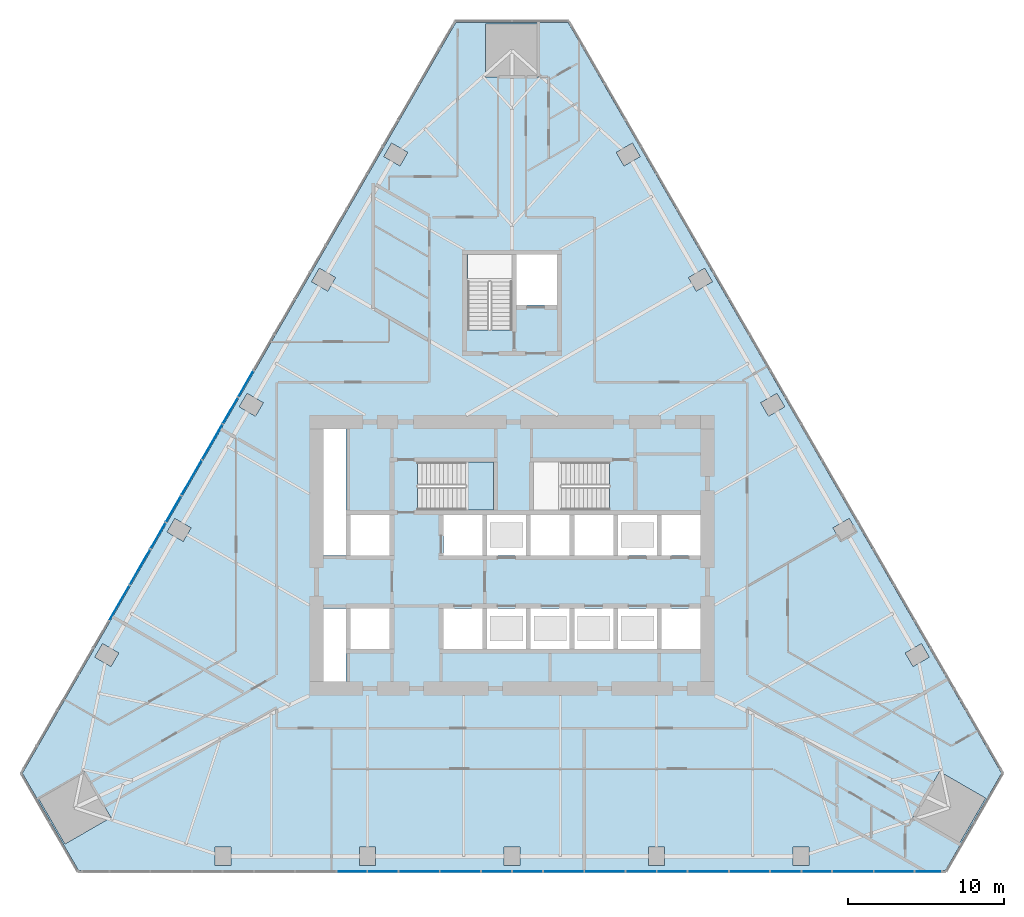
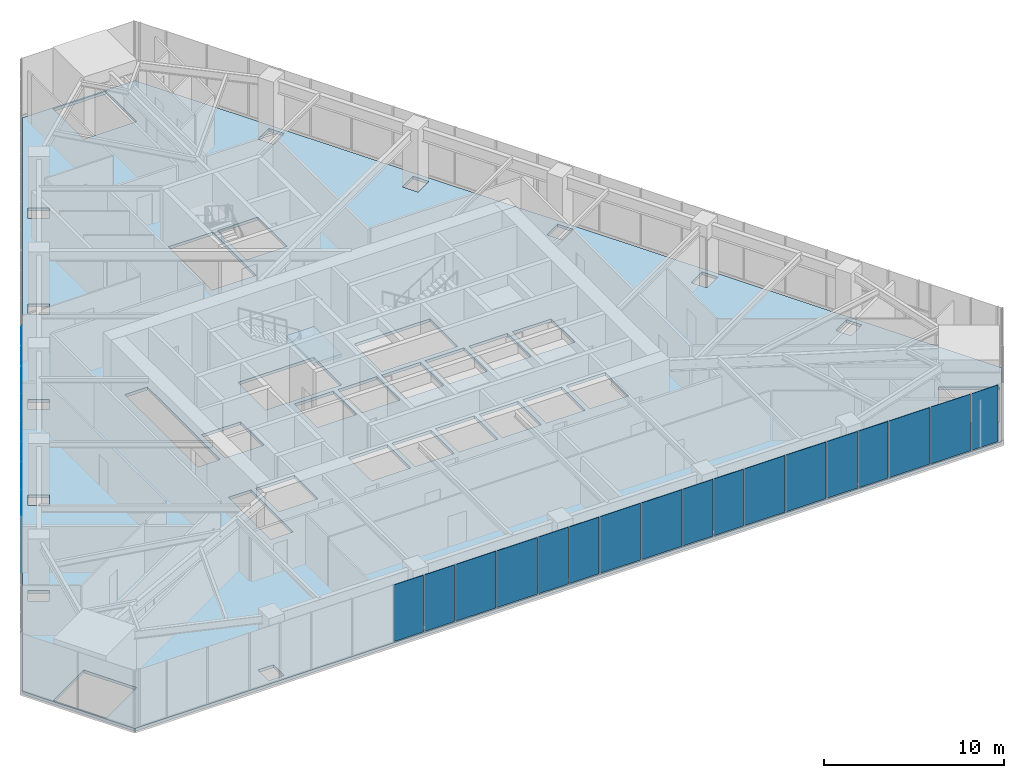
# One storey, part 12 of 22: 25 plates, 2 slabs, 3 elements without a shape of their own.
"""IFC4 building model written with IfcOpenShell, lengths in metres."""

from ifc_helpers import new_model, si_unit, direction, frame, origin, place, context, subcontext, project, spatial, polyline, outline, extrude, material, layer, layer_set, type_object, element, aggregate, save


model = new_model("IFC4")

# Units and contexts
model_context = context("Model", 3, precision=1e-05, world=origin(), true_north=direction((0.0, 1.0)))
body_context = subcontext(model_context, "Body", "Model", "MODEL_VIEW")
ifc_project = project(units=[si_unit("LENGTHUNIT", "METRE"), si_unit("AREAUNIT", "SQUARE_METRE"), si_unit("VOLUMEUNIT", "CUBIC_METRE"), si_unit("PLANEANGLEUNIT", "RADIAN"), si_unit("MASSUNIT", "GRAM", prefix="KILO")], contexts=[model_context])

# Site, building, storey
site_placement = place(None, origin())
site = spatial("IfcSite", under=ifc_project, at=site_placement, CompositionType="ELEMENT")
building_placement = place(site_placement, origin())
building = spatial("IfcBuilding", under=site, at=building_placement, Name="Firuza Gate Tower and Library", CompositionType="ELEMENT")
storey_placement = place(building_placement, frame((0.0, 0.0, 132.39990234375)))
storey = spatial("IfcBuildingStorey", under=building, at=storey_placement, Name="L30", CompositionType="ELEMENT", Elevation=132.39990234375)

# Slab
ifc_material_1 = material(Name="Concrete C40/50", Category="concrete")
ifc_layer_1 = layer(ifc_material_1, 0.199951171875)
ifc_layer_set_1 = layer_set([ifc_layer_1], Name="Composite floor slab 200 C40/50")
slab_type_1 = type_object("IfcSlabType", Name="Composite floor slab 200 C40/50", PredefinedType="FLOOR", material=ifc_layer_set_1)
slab_1_placement = place(storey_placement, frame((0.0, 0.0, -0.199951171875)))
element("IfcSlab", 1, at=slab_1_placement, inside=storey, type_object=slab_type_1, Name="Floor slab L30", PredefinedType="FLOOR", context=body_context, shape_type="SweptSolid", body=[
    extrude(outline(polyline([(43.583251953125, 61.018310546875), (47.18310546875, 54.782958984375), (102.81689453125, 54.782958984375), (106.416748046875, 61.018310546875), (78.60009765625, 109.198486328125), (71.39990234375, 109.198486328125), (43.583251953125, 61.018310546875)]), holes=[polyline([(55.955322265625, 55.0830078125), (55.955322265625, 56.282958984375), (56.955322265625, 56.282958984375), (56.955322265625, 55.0830078125), (55.955322265625, 55.0830078125)]), polyline([(65.227783203125, 55.0830078125), (65.227783203125, 56.282958984375), (66.227783203125, 56.282958984375), (66.227783203125, 55.0830078125), (65.227783203125, 55.0830078125)]), polyline([(44.61962890625, 59.4228515625), (47.564208984375, 61.123046875), (49.26416015625, 58.178466796875), (46.31982421875, 56.478515625), (44.61962890625, 59.4228515625)]), polyline([(48.72900390625, 69.33154296875), (49.768310546875, 68.7314453125), (49.268310546875, 67.865478515625), (48.22900390625, 68.46533203125), (48.72900390625, 69.33154296875)]), polyline([(64.35009765625, 66.89990234375), (62.89990234375, 66.89990234375), (62.89990234375, 71.60009765625), (64.35009765625, 71.60009765625), (64.35009765625, 66.89990234375)]), polyline([(75.89990234375, 69.0), (73.39990234375, 69.0), (73.39990234375, 71.60009765625), (75.89990234375, 71.60009765625), (75.89990234375, 69.0)]), polyline([(73.10009765625, 69.0), (70.60009765625, 69.0), (70.60009765625, 71.60009765625), (73.10009765625, 71.60009765625), (73.10009765625, 69.0)]), polyline([(64.64990234375, 69.0), (64.64990234375, 71.60009765625), (67.14990234375, 71.60009765625), (67.14990234375, 69.0), (64.64990234375, 69.0)]), polyline([(64.64990234375, 75.0), (64.64990234375, 77.60009765625), (67.14990234375, 77.60009765625), (67.14990234375, 75.0), (64.64990234375, 75.0)]), polyline([(75.89990234375, 75.0), (73.39990234375, 75.0), (73.39990234375, 77.60009765625), (75.89990234375, 77.60009765625), (75.89990234375, 75.0)]), polyline([(73.10009765625, 75.0), (70.60009765625, 75.0), (70.60009765625, 77.60009765625), (73.10009765625, 77.60009765625), (73.10009765625, 75.0)]), polyline([(53.365234375, 77.361572265625), (54.404541015625, 76.761474609375), (53.904541015625, 75.8955078125), (52.865234375, 76.495361328125), (53.365234375, 77.361572265625)]), polyline([(62.89990234375, 75.0), (62.89990234375, 83.10009765625), (64.35009765625, 83.10009765625), (64.35009765625, 75.0), (62.89990234375, 75.0)]), polyline([(68.9404296875, 77.89990234375), (68.9404296875, 80.97998046875), (73.81005859375, 80.97998046875), (73.81005859375, 77.89990234375), (68.9404296875, 77.89990234375)]), polyline([(58.00146484375, 85.3916015625), (59.04052734375, 84.79150390625), (58.54052734375, 83.925537109375), (57.50146484375, 84.525390625), (58.00146484375, 85.3916015625)]), polyline([(72.159912109375, 89.470458984375), (72.159912109375, 94.300048828125), (75.0, 94.300048828125), (75.0, 89.470458984375), (72.159912109375, 89.470458984375)]), polyline([(62.637451171875, 93.421630859375), (63.6767578125, 92.821533203125), (63.1767578125, 91.95556640625), (62.137451171875, 92.555419921875), (62.637451171875, 93.421630859375)]), polyline([(68.31298828125, 100.8515625), (67.81298828125, 99.985595703125), (66.773681640625, 100.58544921875), (67.273681640625, 101.45166015625), (68.31298828125, 100.8515625)]), polyline([(76.699951171875, 105.698486328125), (73.300048828125, 105.698486328125), (73.300048828125, 109.0986328125), (76.699951171875, 109.0986328125), (76.699951171875, 105.698486328125)]), polyline([(93.044677734375, 55.0830078125), (93.044677734375, 56.282958984375), (94.044677734375, 56.282958984375), (94.044677734375, 55.0830078125), (93.044677734375, 55.0830078125)]), polyline([(74.5, 55.0830078125), (74.5, 56.282958984375), (75.5, 56.282958984375), (75.5, 55.0830078125), (74.5, 55.0830078125)]), polyline([(83.772216796875, 55.0830078125), (83.772216796875, 56.282958984375), (84.772216796875, 56.282958984375), (84.772216796875, 55.0830078125), (83.772216796875, 55.0830078125)]), polyline([(103.68017578125, 56.478515625), (100.73583984375, 58.178466796875), (102.435791015625, 61.123046875), (105.38037109375, 59.4228515625), (103.68017578125, 56.478515625)]), polyline([(101.77099609375, 68.46533203125), (100.731689453125, 67.865478515625), (100.231689453125, 68.7314453125), (101.27099609375, 69.33154296875), (101.77099609375, 68.46533203125)]), polyline([(78.699951171875, 69.0), (76.199951171875, 69.0), (76.199951171875, 71.60009765625), (78.699951171875, 71.60009765625), (78.699951171875, 69.0)]), polyline([(81.5, 69.0), (79.0, 69.0), (79.0, 71.60009765625), (81.5, 71.60009765625), (81.5, 69.0)]), polyline([(84.60009765625, 69.0), (84.60009765625, 71.60009765625), (87.10009765625, 71.60009765625), (87.10009765625, 69.0), (84.60009765625, 69.0)]), polyline([(81.800048828125, 69.0), (81.800048828125, 71.60009765625), (84.300048828125, 71.60009765625), (84.300048828125, 69.0), (81.800048828125, 69.0)]), polyline([(84.300048828125, 75.0), (81.800048828125, 75.0), (81.800048828125, 77.60009765625), (84.300048828125, 77.60009765625), (84.300048828125, 75.0)]), polyline([(87.10009765625, 75.0), (84.60009765625, 75.0), (84.60009765625, 77.60009765625), (87.10009765625, 77.60009765625), (87.10009765625, 75.0)]), polyline([(81.5, 75.0), (79.0, 75.0), (79.0, 77.60009765625), (81.5, 77.60009765625), (81.5, 75.0)]), polyline([(76.199951171875, 75.0), (76.199951171875, 77.60009765625), (78.699951171875, 77.60009765625), (78.699951171875, 75.0), (76.199951171875, 75.0)]), polyline([(96.095458984375, 75.8955078125), (95.595458984375, 76.761474609375), (96.634765625, 77.361572265625), (97.134765625, 76.495361328125), (96.095458984375, 75.8955078125)]), polyline([(81.259521484375, 77.89990234375), (76.389892578125, 77.89990234375), (76.389892578125, 80.97998046875), (81.259521484375, 80.97998046875), (81.259521484375, 77.89990234375)]), polyline([(92.49853515625, 84.525390625), (91.45947265625, 83.925537109375), (90.95947265625, 84.79150390625), (91.99853515625, 85.3916015625), (92.49853515625, 84.525390625)]), polyline([(77.89990234375, 91.050048828125), (75.300048828125, 91.050048828125), (75.300048828125, 94.300048828125), (77.89990234375, 94.300048828125), (77.89990234375, 91.050048828125)]), polyline([(86.8232421875, 91.95556640625), (86.3232421875, 92.821533203125), (87.362548828125, 93.421630859375), (87.862548828125, 92.555419921875), (86.8232421875, 91.95556640625)]), polyline([(82.18701171875, 99.985595703125), (81.68701171875, 100.8515625), (82.726318359375, 101.45166015625), (83.226318359375, 100.58544921875), (82.18701171875, 99.985595703125)])]), origin(), (0.0, 0.0, 1.0), 0.199951171875),
])

# Curtain wall, plates
ifc_material_2 = material(Name="Aluminium 6063-T6", Category="aluminium")
ifc_layer_2 = layer(ifc_material_2, 0.14990234375)
ifc_layer_set_2 = layer_set([ifc_layer_2], Name="Unitised curtain wall, offices")
curtain_wall_type = type_object("IfcCurtainWallType", Name="Unitised curtain wall, offices", PredefinedType="NOTDEFINED", material=ifc_layer_set_2)
placement = place(storey_placement, origin())
curtain_wall_1 = element("IfcCurtainWall", 2, at=placement, inside=storey, type_object=curtain_wall_type, Name="CW1 L30 S face", PredefinedType="NOTDEFINED")
ifc_material_3 = material(Name="Fritted glass", Category="glass")
ifc_layer_3 = layer(ifc_material_3, 0.030029296875)
ifc_layer_set_3 = layer_set([ifc_layer_3], Name="Fritted glass unit, offices")
plate_type_1 = type_object("IfcPlateType", Name="Fritted glass unit, offices", PredefinedType="CURTAIN_PANEL", material=ifc_layer_set_3)
plate_1_placement = place(storey_placement, frame((63.783935546875, 54.693115234375, 0.150146484375), z_axis=(0.0, -1.0, 0.0), x_axis=(1.0, 0.0, 0.0)))
plate_1 = element("IfcPlate", 3, at=plate_1_placement, type_object=plate_type_1, Name="Glass unit", PredefinedType="CURTAIN_PANEL", context=body_context, shape_type="SweptSolid", body=[
    extrude(outline(polyline([(0.0, 0.0), (1.889404296875, 0.0), (1.889404296875, 3.849853515625), (0.0, 3.849853515625), (0.0, 0.0)])), origin(), (0.0, 0.0, -1.0), 0.030029296875),
])
plate_2_placement = place(storey_placement, frame((65.753173828125, 54.693115234375, 0.150146484375), z_axis=(0.0, -1.0, 0.0), x_axis=(1.0, 0.0, 0.0)))
plate_2 = element("IfcPlate", 4, at=plate_2_placement, type_object=plate_type_1, Name="Glass unit", PredefinedType="CURTAIN_PANEL", context=body_context, shape_type="SweptSolid", body=[
    extrude(outline(polyline([(0.0, 0.0), (1.918212890625, 0.0), (1.918212890625, 3.849853515625), (0.0, 3.849853515625), (0.0, 0.0)])), origin(), (0.0, 0.0, -1.0), 0.030029296875),
])
plate_3_placement = place(storey_placement, frame((73.056396484375, 54.693115234375, 0.150146484375), z_axis=(0.0, -1.0, 0.0), x_axis=(1.0, 0.0, 0.0)))
plate_3 = element("IfcPlate", 5, at=plate_3_placement, type_object=plate_type_1, Name="Glass unit", PredefinedType="CURTAIN_PANEL", context=body_context, shape_type="SweptSolid", body=[
    extrude(outline(polyline([(0.0, 0.0), (1.903564453125, 0.0), (1.903564453125, 3.849853515625), (0.0, 3.849853515625), (0.0, 0.0)])), origin(), (0.0, 0.0, -1.0), 0.030029296875),
])
plate_4_placement = place(storey_placement, frame((75.0400390625, 54.693115234375, 0.150146484375), z_axis=(0.0, -1.0, 0.0), x_axis=(1.0, 0.0, 0.0)))
plate_4 = element("IfcPlate", 6, at=plate_4_placement, type_object=plate_type_1, Name="Glass unit", PredefinedType="CURTAIN_PANEL", context=body_context, shape_type="SweptSolid", body=[
    extrude(outline(polyline([(0.0, 0.0), (1.903564453125, 0.0), (1.903564453125, 3.849853515625), (0.0, 3.849853515625), (0.0, 0.0)])), origin(), (0.0, 0.0, -1.0), 0.030029296875),
])
plate_5_placement = place(storey_placement, frame((82.32861328125, 54.693115234375, 0.150146484375), z_axis=(0.0, -1.0, 0.0), x_axis=(1.0, 0.0, 0.0)))
plate_5 = element("IfcPlate", 7, at=plate_5_placement, type_object=plate_type_1, Name="Glass unit", PredefinedType="CURTAIN_PANEL", context=body_context, shape_type="SweptSolid", body=[
    extrude(outline(polyline([(0.0, 0.0), (1.918212890625, 0.0), (1.918212890625, 3.849853515625), (0.0, 3.849853515625), (0.0, 0.0)])), origin(), (0.0, 0.0, -1.0), 0.030029296875),
])
plate_6_placement = place(storey_placement, frame((84.32666015625, 54.693115234375, 0.150146484375), z_axis=(0.0, -1.0, 0.0), x_axis=(1.0, 0.0, 0.0)))
plate_6 = element("IfcPlate", 8, at=plate_6_placement, type_object=plate_type_1, Name="Glass unit", PredefinedType="CURTAIN_PANEL", context=body_context, shape_type="SweptSolid", body=[
    extrude(outline(polyline([(0.0, 0.0), (1.889404296875, 0.0), (1.889404296875, 3.849853515625), (0.0, 3.849853515625), (0.0, 0.0)])), origin(), (0.0, 0.0, -1.0), 0.030029296875),
])
plate_7_placement = place(storey_placement, frame((91.600830078125, 54.693115234375, 0.150146484375), z_axis=(0.0, -1.0, 0.0), x_axis=(1.0, 0.0, 0.0)))
plate_7 = element("IfcPlate", 9, at=plate_7_placement, type_object=plate_type_1, Name="Glass unit", PredefinedType="CURTAIN_PANEL", context=body_context, shape_type="SweptSolid", body=[
    extrude(outline(polyline([(0.0, 0.0), (1.9326171875, 0.0), (1.9326171875, 3.849853515625), (0.0, 3.849853515625), (0.0, 0.0)])), origin(), (0.0, 0.0, -1.0), 0.030029296875),
])
plate_8_placement = place(storey_placement, frame((93.613525390625, 54.693115234375, 0.150146484375), z_axis=(0.0, -1.0, 0.0), x_axis=(1.0, 0.0, 0.0)))
plate_8 = element("IfcPlate", 10, at=plate_8_placement, type_object=plate_type_1, Name="Glass unit", PredefinedType="CURTAIN_PANEL", context=body_context, shape_type="SweptSolid", body=[
    extrude(outline(polyline([(0.0, 0.0), (1.874755859375, 0.0), (1.874755859375, 3.849853515625), (0.0, 3.849853515625), (0.0, 0.0)])), origin(), (0.0, 0.0, -1.0), 0.030029296875),
])
plate_9_placement = place(storey_placement, frame((100.873046875, 54.693115234375, 0.150146484375), z_axis=(0.0, -1.0, 0.0), x_axis=(1.0, 0.0, 0.0)))
plate_9 = element("IfcPlate", 11, at=plate_9_placement, type_object=plate_type_1, Name="Glass unit", PredefinedType="CURTAIN_PANEL", context=body_context, shape_type="SweptSolid", body=[
    extrude(outline(polyline([(0.0, 0.0), (1.680908203125, 0.0), (1.680908203125, 3.849853515625), (0.0, 3.849853515625), (0.0, 0.0)])), origin(), (0.0, 0.0, -1.0), 0.030029296875),
])

curtain_wall_2 = element("IfcCurtainWall", 12, at=placement, inside=storey, type_object=curtain_wall_type, Name="CW1 L30 W face", PredefinedType="NOTDEFINED")
plate_10_placement = place(storey_placement, frame((58.385498046875, 86.836669921875, 0.150146484375), z_axis=(-0.865984804727, 0.500070313038, 0.0), x_axis=(-0.500070313038, -0.865984804727, 0.0)))
plate_10 = element("IfcPlate", 13, at=plate_10_placement, type_object=plate_type_1, Name="Glass unit", PredefinedType="CURTAIN_PANEL", context=body_context, shape_type="SweptSolid", body=[
    extrude(outline(polyline([(0.0, 0.0), (1.903540906262678, 0.0), (1.903540906262678, 3.849853515625), (0.0, 3.849853515625), (0.0, 0.0)])), origin(), (0.0, 0.0, -1.0), 0.030029296875),
])
plate_11_placement = place(storey_placement, frame((57.3935546875, 85.118896484375, 0.150146484375), z_axis=(-0.866072402055, 0.49991858777, 0.0), x_axis=(-0.49991858777, -0.866072402055, 0.0)))
plate_11 = element("IfcPlate", 14, at=plate_11_placement, type_object=plate_type_1, Name="Glass unit", PredefinedType="CURTAIN_PANEL", context=body_context, shape_type="SweptSolid", body=[
    extrude(outline(polyline([(0.0, 0.0), (1.9036302700702457, 0.0), (1.9036302700702457, 3.849853515625), (0.0, 3.849853515625), (0.0, 0.0)])), origin(), (0.0, 0.0, -1.0), 0.030029296875),
])
plate_12_placement = place(storey_placement, frame((53.749267578125, 78.806640625, 0.150146484375), z_axis=(-0.866041454758, 0.499972197867, 0.0), x_axis=(-0.499972197867, -0.866041454758, 0.0)))
plate_12 = element("IfcPlate", 15, at=plate_12_placement, type_object=plate_type_1, Name="Glass unit", PredefinedType="CURTAIN_PANEL", context=body_context, shape_type="SweptSolid", body=[
    extrude(outline(polyline([(0.0, 0.0), (1.9180754031732696, 0.0), (1.9180754031732696, 3.849853515625), (0.0, 3.849853515625), (0.0, 0.0)])), origin(), (0.0, 0.0, -1.0), 0.030029296875),
])
plate_13_placement = place(storey_placement, frame((52.750244140625, 77.076416015625, 0.150146484375), z_axis=(-0.866047869032, 0.499961087031, 0.0), x_axis=(-0.499961087031, -0.866047869032, 0.0)))
plate_13 = element("IfcPlate", 16, at=plate_13_placement, type_object=plate_type_1, Name="Glass unit", PredefinedType="CURTAIN_PANEL", context=body_context, shape_type="SweptSolid", body=[
    extrude(outline(polyline([(0.0, 0.0), (1.8893071933532877, 0.0), (1.8893071933532877, 3.849853515625001), (0.0, 3.849853515625001), (0.0, 0.0)])), origin(), (0.0, 0.0, -1.0), 0.030029296875),
])

# Plate
ifc_material_4 = material(Name="Glazed ceramic tile")
ifc_layer_4 = layer(ifc_material_4, 0.030029296875)
ifc_layer_set_4 = layer_set([ifc_layer_4], Name="Opaque ceramic panel, offices")
plate_type_2 = type_object("IfcPlateType", Name="Opaque ceramic panel, offices", PredefinedType="CURTAIN_PANEL", material=ifc_layer_set_4)
plate_14_placement = place(storey_placement, frame((67.75146484375, 54.693115234375, 0.150146484375), z_axis=(0.0, -1.0, 0.0), x_axis=(1.0, 0.0, 0.0)))
plate_14 = element("IfcPlate", 17, at=plate_14_placement, type_object=plate_type_2, Name="Opaque ceramic panel", PredefinedType="CURTAIN_PANEL", context=body_context, shape_type="SweptSolid", body=[
    extrude(outline(polyline([(0.0, 0.0), (2.565185546875, 0.0), (2.565185546875, 3.849853515625), (0.0, 3.849853515625), (0.0, 0.0)])), origin(), (0.0, 0.0, -1.0), 0.030029296875),
])

plate_15_placement = place(storey_placement, frame((70.396728515625, 54.693115234375, 0.150146484375), z_axis=(0.0, -1.0, 0.0), x_axis=(1.0, 0.0, 0.0)))
plate_15 = element("IfcPlate", 18, at=plate_15_placement, type_object=plate_type_2, Name="Opaque ceramic panel", PredefinedType="CURTAIN_PANEL", context=body_context, shape_type="SweptSolid", body=[
    extrude(outline(polyline([(0.0, 0.0), (2.57958984375, 0.0), (2.57958984375, 3.849853515625), (0.0, 3.849853515625), (0.0, 0.0)])), origin(), (0.0, 0.0, -1.0), 0.030029296875),
])

plate_16_placement = place(storey_placement, frame((77.023681640625, 54.693115234375, 0.150146484375), z_axis=(0.0, -1.0, 0.0), x_axis=(1.0, 0.0, 0.0)))
plate_16 = element("IfcPlate", 19, at=plate_16_placement, type_object=plate_type_2, Name="Opaque ceramic panel", PredefinedType="CURTAIN_PANEL", context=body_context, shape_type="SweptSolid", body=[
    extrude(outline(polyline([(0.0, 0.0), (2.57958984375, 0.0), (2.57958984375, 3.849853515625), (0.0, 3.849853515625), (0.0, 0.0)])), origin(), (0.0, 0.0, -1.0), 0.030029296875),
])

plate_17_placement = place(storey_placement, frame((79.683349609375, 54.693115234375, 0.150146484375), z_axis=(0.0, -1.0, 0.0), x_axis=(1.0, 0.0, 0.0)))
plate_17 = element("IfcPlate", 20, at=plate_17_placement, type_object=plate_type_2, Name="Opaque ceramic panel", PredefinedType="CURTAIN_PANEL", context=body_context, shape_type="SweptSolid", body=[
    extrude(outline(polyline([(0.0, 0.0), (2.565185546875, 0.0), (2.565185546875, 3.849853515625), (0.0, 3.849853515625), (0.0, 0.0)])), origin(), (0.0, 0.0, -1.0), 0.030029296875),
])

plate_18_placement = place(storey_placement, frame((86.2958984375, 54.693115234375, 0.150146484375), z_axis=(0.0, -1.0, 0.0), x_axis=(1.0, 0.0, 0.0)))
plate_18 = element("IfcPlate", 21, at=plate_18_placement, type_object=plate_type_2, Name="Opaque ceramic panel", PredefinedType="CURTAIN_PANEL", context=body_context, shape_type="SweptSolid", body=[
    extrude(outline(polyline([(0.0, 0.0), (2.59423828125, 0.0), (2.59423828125, 3.849853515625), (0.0, 3.849853515625), (0.0, 0.0)])), origin(), (0.0, 0.0, -1.0), 0.030029296875),
])

plate_19_placement = place(storey_placement, frame((88.969970703125, 54.693115234375, 0.150146484375), z_axis=(0.0, -1.0, 0.0), x_axis=(1.0, 0.0, 0.0)))
plate_19 = element("IfcPlate", 22, at=plate_19_placement, type_object=plate_type_2, Name="Opaque ceramic panel", PredefinedType="CURTAIN_PANEL", context=body_context, shape_type="SweptSolid", body=[
    extrude(outline(polyline([(0.0, 0.0), (2.551025390625, 0.0), (2.551025390625, 3.849853515625), (0.0, 3.849853515625), (0.0, 0.0)])), origin(), (0.0, 0.0, -1.0), 0.030029296875),
])

plate_20_placement = place(storey_placement, frame((95.568359375, 54.693115234375, 0.150146484375), z_axis=(0.0, -1.0, 0.0), x_axis=(1.0, 0.0, 0.0)))
plate_20 = element("IfcPlate", 23, at=plate_20_placement, type_object=plate_type_2, Name="Opaque ceramic panel", PredefinedType="CURTAIN_PANEL", context=body_context, shape_type="SweptSolid", body=[
    extrude(outline(polyline([(0.0, 0.0), (2.6083984375, 0.0), (2.6083984375, 3.849853515625), (0.0, 3.849853515625), (0.0, 0.0)])), origin(), (0.0, 0.0, -1.0), 0.030029296875),
])

plate_21_placement = place(storey_placement, frame((98.2568359375, 54.693115234375, 0.150146484375), z_axis=(0.0, -1.0, 0.0), x_axis=(1.0, 0.0, 0.0)))
plate_21 = element("IfcPlate", 24, at=plate_21_placement, type_object=plate_type_2, Name="Opaque ceramic panel", PredefinedType="CURTAIN_PANEL", context=body_context, shape_type="SweptSolid", body=[
    extrude(outline(polyline([(0.0, 0.0), (2.536376953125, 0.0), (2.536376953125, 3.849853515625), (0.0, 3.849853515625), (0.0, 0.0)])), origin(), (0.0, 0.0, -1.0), 0.030029296875),
])

aggregate(curtain_wall_1, [plate_1, plate_2, plate_14, plate_15, plate_3, plate_4, plate_16, plate_17, plate_5, plate_6, plate_18, plate_19, plate_7, plate_8, plate_20, plate_21, plate_9])

plate_22_placement = place(storey_placement, frame((56.40185546875, 83.40087890625, 0.150146484375), z_axis=(-0.866039021589, 0.499976412529, 0.0), x_axis=(-0.499976412529, -0.866039021589, 0.0)))
plate_22 = element("IfcPlate", 25, at=plate_22_placement, type_object=plate_type_2, Name="Opaque ceramic panel", PredefinedType="CURTAIN_PANEL", context=body_context, shape_type="SweptSolid", body=[
    extrude(outline(polyline([(0.0, 0.0), (2.5797115414918417, 0.0), (2.5797115414918417, 3.849853515625), (0.0, 3.849853515625), (0.0, 0.0)])), origin(), (0.0, 0.0, -1.0), 0.030029296875),
])

plate_23_placement = place(storey_placement, frame((55.072021484375, 81.09765625, 0.150146484375), z_axis=(-0.866020765707, 0.500008033299, 0.0), x_axis=(-0.500008033299, -0.866020765707, 0.0)))
plate_23 = element("IfcPlate", 26, at=plate_23_placement, type_object=plate_type_2, Name="Opaque ceramic panel", PredefinedType="CURTAIN_PANEL", context=body_context, shape_type="SweptSolid", body=[
    extrude(outline(polyline([(0.0, 0.0), (2.5653884704322434, 0.0), (2.5653884704322434, 3.849853515625), (0.0, 3.849853515625), (0.0, 0.0)])), origin(), (0.0, 0.0, -1.0), 0.030029296875),
])

plate_24_placement = place(storey_placement, frame((51.765625, 75.370849609375, 0.150146484375), z_axis=(-0.866016323255, 0.500015727609, 0.0), x_axis=(-0.500015727609, -0.866016323255, 0.0)))
plate_24 = element("IfcPlate", 27, at=plate_24_placement, type_object=plate_type_2, Name="Opaque ceramic panel", PredefinedType="CURTAIN_PANEL", context=body_context, shape_type="SweptSolid", body=[
    extrude(outline(polyline([(0.0, 0.0), (2.59415668148844, 0.0), (2.59415668148844, 3.849853515625), (0.0, 3.849853515625), (0.0, 0.0)])), origin(), (0.0, 0.0, -1.0), 0.030029296875),
])

plate_25_placement = place(storey_placement, frame((50.4287109375, 73.054931640625, 0.150146484375), z_axis=(-0.865978371491, 0.500081453475, 0.0), x_axis=(-0.500081453475, -0.865978371491, 0.0)))
plate_25 = element("IfcPlate", 28, at=plate_25_placement, type_object=plate_type_2, Name="Opaque ceramic panel", PredefinedType="CURTAIN_PANEL", context=body_context, shape_type="SweptSolid", body=[
    extrude(outline(polyline([(0.0, 0.0), (2.5508539794087177, 0.0), (2.5508539794087177, 3.849853515625), (0.0, 3.849853515625), (0.0, 0.0)])), origin(), (0.0, 0.0, -1.0), 0.030029296875),
])

aggregate(curtain_wall_2, [plate_10, plate_11, plate_22, plate_23, plate_12, plate_13, plate_24, plate_25])

# Stair, slab
ifc_material_5 = material(Name="Concrete C35/45", Category="concrete")
stair_type = type_object("IfcStairType", Name="Exit stair ST5", PredefinedType="HALF_TURN_STAIR", material=ifc_material_5)
stair = element("IfcStair", 29, at=placement, inside=storey, type_object=stair_type, Name="L30 Stair ST1", PredefinedType="HALF_TURN_STAIR")
ifc_material_6 = material(Name="Concrete C35/45", Category="concrete")
ifc_layer_5 = layer(ifc_material_6, 0.199951171875)
ifc_layer_set_5 = layer_set([ifc_layer_5], Name="Stair landing 200")
slab_type_2 = type_object("IfcSlabType", Name="Stair landing 200", PredefinedType="LANDING", material=ifc_layer_set_5)
slab_2_placement = place(storey_placement, frame((0.0, 0.0, 1.900146484375)))
slab_2 = element("IfcSlab", 30, at=slab_2_placement, type_object=slab_type_2, Name="ST1 landing 1", PredefinedType="LANDING", context=body_context, shape_type="SweptSolid", body=[
    extrude(outline(polyline([(72.02001953125, 77.89990234375), (73.81005859375, 77.89990234375), (73.81005859375, 80.97998046875), (72.02001953125, 80.97998046875), (72.02001953125, 77.89990234375)])), origin(), (0.0, 0.0, 1.0), 0.199951171875),
])
aggregate(stair, [slab_2])

save(model, "model.ifc")
